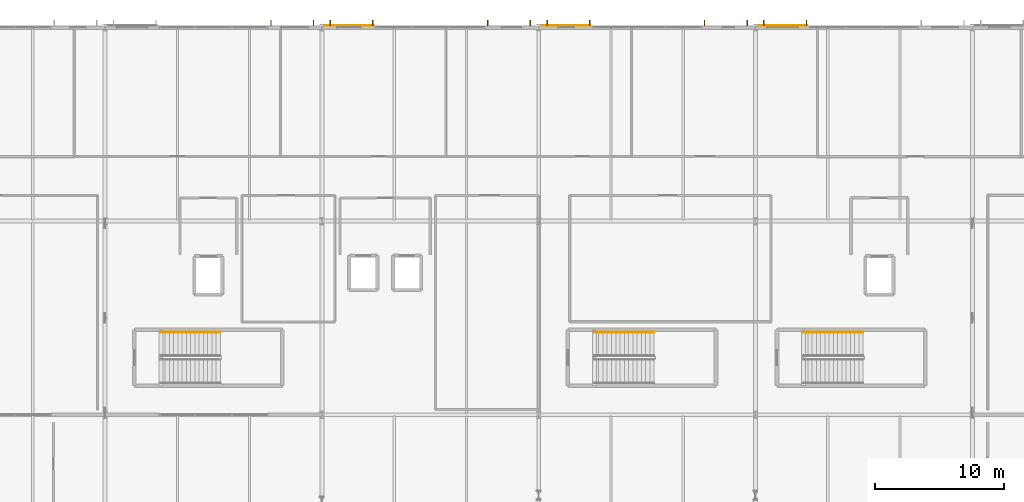
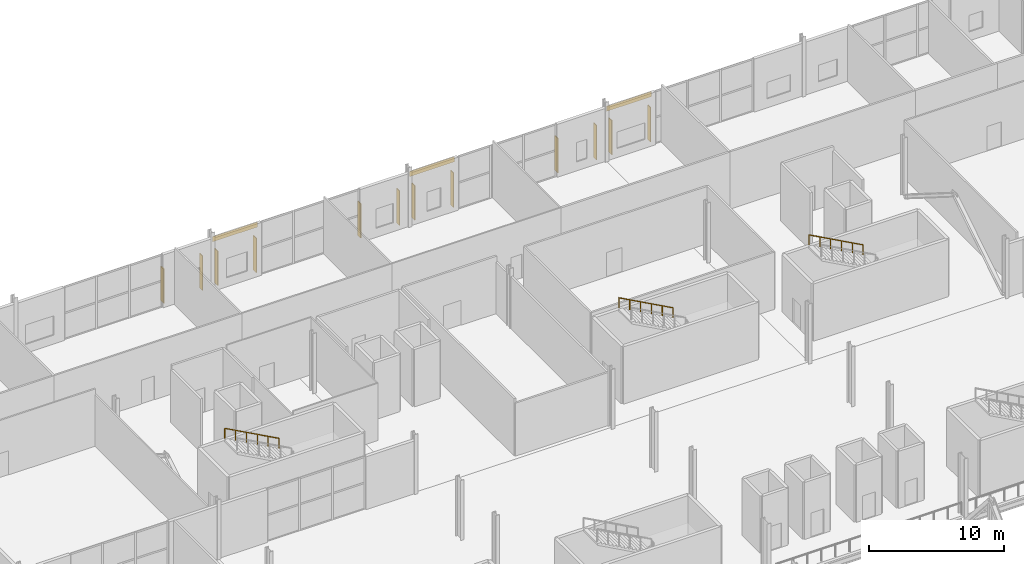
# One storey, part 77 of 84: 12 shading devices, 3 coverings, 3 railings.
"""IFC4 building model written with IfcOpenShell, lengths in metres."""

import ifcopenshell
import ifcopenshell.guid

model = None  # the IFC model being written
_history = None  # IfcOwnerHistory: only IFC2X3 demands one
_inside = {}  # id of a spatial element -> (the spatial element, [elements in it])
_under = {}  # id of a project, library or spatial element -> (it, [spatial elements below it])
_declared = {}  # id of a project -> (the project, [libraries it declares])
_typed = {}  # id of a type object -> (the type object, [elements of that type])
_made_of = {}  # id of a material, layer set ... -> (it, [elements and type objects made of it])


def new_model(schema):
    """Start an empty IFC model of exactly this schema.

    Asked for "IFC4X3", IfcOpenShell would pick the latest addendum, in which some entities
    have other attributes; the version numbers below select the first issue.
    IFC2X3 requires an IfcOwnerHistory on every rooted entity: one is made here for all.
    """
    global model, _history
    if schema == "IFC4X3":
        model = ifcopenshell.file(schema_version=(4, 3, 0, 0))
    else:
        model = ifcopenshell.file(schema=schema)
    _inside.clear()
    _under.clear()
    _declared.clear()
    _typed.clear()
    _made_of.clear()
    _history = None
    if model.schema == "IFC2X3":
        org = make("IfcOrganization", Name="unknown")
        user = make(
            "IfcPersonAndOrganization",
            ThePerson=make("IfcPerson", FamilyName="unknown"),
            TheOrganization=org,
        )
        app = make(
            "IfcApplication",
            ApplicationDeveloper=org,
            Version="unknown",
            ApplicationFullName="unknown",
            ApplicationIdentifier="unknown",
        )
        _history = make(
            "IfcOwnerHistory",
            OwningUser=user,
            OwningApplication=app,
            ChangeAction="ADDED",
            CreationDate=0,
        )
    return model


def make(cls, **values):
    """One entity of the class cls with the attributes given. An attribute that is None is left unset."""
    return model.create_entity(
        cls, **{name: value for name, value in values.items() if value is not None}
    )


def rooted(cls, **values):
    """An entity with a GlobalId (a new one), such as an element, a storey or a relation."""
    return make(cls, GlobalId=ifcopenshell.guid.new(), OwnerHistory=_history, **values)


def si_unit(unit_type, name, prefix=None):
    """IfcSIUnit, for example si_unit("LENGTHUNIT", "METRE", prefix="MILLI")."""
    return make("IfcSIUnit", UnitType=unit_type, Prefix=prefix, Name=name)


def assignment(units):
    """IfcUnitAssignment: the units of a project."""
    return None if units is None else make("IfcUnitAssignment", Units=units)


def point(xyz):
    """IfcCartesianPoint."""
    return None if xyz is None else make("IfcCartesianPoint", Coordinates=xyz)


def direction(xyz):
    """IfcDirection."""
    return None if xyz is None else make("IfcDirection", DirectionRatios=xyz)


def frame(location, z_axis=None, x_axis=None):
    """IfcAxis2Placement3D, a coordinate frame: its origin and axes. An axis left out is left unset."""
    return make(
        "IfcAxis2Placement3D",
        Location=point(location),
        Axis=direction(z_axis),
        RefDirection=direction(x_axis),
    )


def frame_2d(location, x_axis=None):
    """IfcAxis2Placement2D, a coordinate frame in the plane: its origin and x axis."""
    return make(
        "IfcAxis2Placement2D", Location=point(location), RefDirection=direction(x_axis)
    )


def origin():
    """The frame at (0, 0, 0) with its axes left unset."""
    return frame((0.0, 0.0, 0.0))


def origin_2d():
    """The frame at (0, 0) in the plane with its x axis left unset."""
    return frame_2d((0.0, 0.0))


def place(relative_to, where):
    """IfcLocalPlacement: puts the frame where relative to a parent placement (None: the world)."""
    return make(
        "IfcLocalPlacement", PlacementRelTo=relative_to, RelativePlacement=where
    )


def context(
    kind, dimensions, precision=None, world=None, true_north=None, identifier=None
):
    """IfcGeometricRepresentationContext, for example the 3D "Model" context."""
    return make(
        "IfcGeometricRepresentationContext",
        ContextIdentifier=identifier,
        ContextType=kind,
        CoordinateSpaceDimension=dimensions,
        Precision=precision,
        WorldCoordinateSystem=world,
        TrueNorth=true_north,
    )


def subcontext(parent, identifier, kind, view, scale=None):
    """IfcGeometricRepresentationSubContext, for example "Body" below "Model"."""
    return make(
        "IfcGeometricRepresentationSubContext",
        ContextIdentifier=identifier,
        ContextType=kind,
        ParentContext=parent,
        TargetScale=scale,
        TargetView=view,
    )


def project(units=None, contexts=None):
    """IfcProject with its units and contexts."""
    return rooted(
        "IfcProject",
        Name="project",
        RepresentationContexts=contexts,
        UnitsInContext=assignment(units),
    )


def spatial(cls, under=None, at=None, **own):
    """A site, building, storey or space (cls), placed at a placement, below another one or the project."""
    s = rooted(cls, ObjectPlacement=at, **own)
    if under is not None:
        _under.setdefault(under.id(), (under, []))[1].append(s)
    return s


def profile(cls, at=None, kind="AREA", **sizes):
    """A parametric profile (cls). Its sizes go by their IFC names, for example OverallWidth=200.0."""
    return make(cls, ProfileType=kind, Position=at, **sizes)


def rectangle(**sizes):
    """IfcRectangleProfileDef."""
    return profile("IfcRectangleProfileDef", **sizes)


def circle(**sizes):
    """IfcCircleProfileDef."""
    return profile("IfcCircleProfileDef", **sizes)


def extrude(swept, where, along, depth):
    """IfcExtrudedAreaSolid: the profile swept, set in the frame where, extruded along a direction by depth."""
    return make(
        "IfcExtrudedAreaSolid",
        SweptArea=swept,
        Position=where,
        ExtrudedDirection=direction(along),
        Depth=depth,
    )


def shape(context_of_items, identifier, shape_type, items):
    """IfcShapeRepresentation: the items that make up one representation, for example the "Body"."""
    return make(
        "IfcShapeRepresentation",
        ContextOfItems=context_of_items,
        RepresentationIdentifier=identifier,
        RepresentationType=shape_type,
        Items=items,
    )


def material(Name=None, Category=None):
    """IfcMaterial."""
    return make("IfcMaterial", Name=Name, Category=Category)


def layer(
    of_material, thickness, ventilated=None, Name=None, Category=None, Priority=None
):
    """IfcMaterialLayer: one layer of a wall or slab, of a material (None: an air gap)."""
    return make(
        "IfcMaterialLayer",
        Material=of_material,
        LayerThickness=thickness,
        IsVentilated=ventilated,
        Name=Name,
        Category=Category,
        Priority=Priority,
    )


def layer_set(layers, Name=None):
    """IfcMaterialLayerSet."""
    return make("IfcMaterialLayerSet", MaterialLayers=layers, LayerSetName=Name)


def made_of(thing, what):
    """Note that an element or type object is made of a material, layer set ...; save() writes the relation."""
    if what is not None:
        _made_of.setdefault(what.id(), (what, []))[1].append(thing)
    return thing


def type_object(cls, material=None, **own):
    """A type object (cls), such as IfcWallType, which elements share."""
    return made_of(rooted(cls, **own), material)


def element(
    cls,
    number,
    at=None,
    inside=None,
    cuts=None,
    type_object=None,
    material=None,
    context=None,
    identifier="Body",
    shape_type=None,
    held_by="IfcProductDefinitionShape",
    body=None,
    shapes=None,
    **own,
):
    """One element of the class cls, such as IfcWall. Its Tag is "e" and its number.

    at: its placement. inside: the storey or other place that contains it. cuts: it is an
    opening in that element (IfcRelVoidsElement). A single representation is given by context,
    identifier, shape_type and body (its items); several are given by shapes. held_by: the class
    of the entity that holds the representations. save() writes the other relations.
    """
    e = rooted(cls, Tag="e%d" % number, ObjectPlacement=at, **own)
    if body is not None:
        shapes = [shape(context, identifier, shape_type, body)]
    if shapes is not None:
        e.Representation = make(held_by, Representations=shapes)
    if inside is not None:
        _inside.setdefault(inside.id(), (inside, []))[1].append(e)
    if cuts is not None:
        rooted(
            "IfcRelVoidsElement", RelatingBuildingElement=cuts, RelatedOpeningElement=e
        )
    if type_object is not None:
        _typed.setdefault(type_object.id(), (type_object, []))[1].append(e)
    return made_of(e, material)


def aggregate(whole, parts):
    """IfcRelAggregates: a whole, such as a stair, and the parts it consists of."""
    return rooted("IfcRelAggregates", RelatingObject=whole, RelatedObjects=parts)


def save(model, path):
    """Write the relations noted so far, then the file.

    IfcRelAggregates (storeys below a building ...), IfcRelContainedInSpatialStructure (elements
    in a storey), IfcRelDefinesByType, IfcRelAssociatesMaterial and IfcRelDeclares: one each for
    every whole, place, type object, material and project.
    """
    for whole, parts in _under.values():
        aggregate(whole, parts)
    for where, things in _inside.values():
        rooted(
            "IfcRelContainedInSpatialStructure",
            RelatedElements=things,
            RelatingStructure=where,
        )
    for kind, things in _typed.values():
        rooted("IfcRelDefinesByType", RelatedObjects=things, RelatingType=kind)
    for what, things in _made_of.values():
        rooted("IfcRelAssociatesMaterial", RelatedObjects=things, RelatingMaterial=what)
    for by, libraries in _declared.values():
        rooted("IfcRelDeclares", RelatingContext=by, RelatedDefinitions=libraries)
    model.write(path)


model = new_model("IFC4")

# Units and contexts
model_context = context("Model", 3, precision=1e-05, world=origin(), true_north=direction((0.0, 1.0)))
body_context = subcontext(model_context, "Body", "Model", "MODEL_VIEW")
ifc_project = project(units=[si_unit("LENGTHUNIT", "METRE"), si_unit("AREAUNIT", "SQUARE_METRE"), si_unit("VOLUMEUNIT", "CUBIC_METRE"), si_unit("PLANEANGLEUNIT", "RADIAN"), si_unit("MASSUNIT", "GRAM", prefix="KILO")], contexts=[model_context])

# Site, building, storey
site_placement = place(None, origin())
site = spatial("IfcSite", under=ifc_project, at=site_placement, CompositionType="ELEMENT")
building_placement = place(site_placement, origin())
building = spatial("IfcBuilding", under=site, at=building_placement, Name="Kimbaza Rail Terminus", CompositionType="ELEMENT")
storey_placement = place(building_placement, frame((0.0, 0.0, 5.39990234375)))
storey = spatial("IfcBuildingStorey", under=building, at=storey_placement, Name="L01", CompositionType="ELEMENT", Elevation=5.39990234375)

# Coverings
ifc_material_1 = material(Name="Champagne anodised aluminium spandrel cladding", Category="aluminium")
ifc_layer = layer(ifc_material_1, 0.034912109375)
ifc_layer_set = layer_set([ifc_layer], Name="Champagne anodised aluminium spandrel cladding")
covering_type = type_object("IfcCoveringType", Name="ARC-COV-CLD1", PredefinedType="CLADDING", material=ifc_layer_set)
for number, where, z_axis, x_axis, name in (
    (1, (90.89990234375, 133.156005859375, 4.240234375), (0.0, 0.0, 1.0), (1.0, 0.0, 0.0), "North Spandrel Cladding L01 Bay 3"),
    (2, (107.699951171875, 133.156005859375, 4.240234375), (0.0, 0.0, 1.0), (1.0, 0.0, 0.0), "North Spandrel Cladding L01 Bay 4"),
    (3, (124.5, 133.156005859375, 4.240234375), (0.0, 0.0, 1.0), (1.0, 0.0, 0.0), "North Spandrel Cladding L01 Bay 5"),
):
    element("IfcCovering", number, at=place(storey_placement, frame(where, z_axis=z_axis, x_axis=x_axis)), inside=storey, type_object=covering_type, Name=name, PredefinedType="CLADDING", context=body_context, shape_type="SweptSolid", body=[
        extrude(rectangle(XDim=3.800048828125, YDim=0.034912109375, at=origin_2d()), origin(), (0.0, 0.0, 1.0), 0.449951171875),
    ])

# Railings
ifc_material_2 = material(Name="Brushed stainless steel handrail", Category="steel")
railing_type = type_object("IfcRailingType", Name="ARC-RL-HND92", PredefinedType="HANDRAIL", material=ifc_material_2)
railing_1_placement = place(storey_placement, frame((80.93994140625, 109.389892578125, 2.880126953125)))
element("IfcRailing", 4, at=railing_1_placement, inside=storey, type_object=railing_type, Name="L01 ST-W1 stair handrail 2", PredefinedType="HANDRAIL", context=body_context, shape_type="SweptSolid", body=[
    extrude(circle(Radius=0.02392578125, at=origin_2d()), frame((0.0, 0.0, 0.8759765625), z_axis=(-0.877888480945, 0.0, 0.478865132395), x_axis=(0.0, -1.0, 0.0)), (0.0, 0.0, 1.0), 5.262451171875),
    extrude(circle(Radius=0.02099609375, at=origin_2d()), origin(), (0.0, 0.0, 1.0), 0.851806640625),
    extrude(circle(Radius=0.02099609375, at=origin_2d()), frame((-0.924072265625, 0.0, 0.50390625)), (0.0, 0.0, 1.0), 0.851806640625),
    extrude(circle(Radius=0.02099609375, at=origin_2d()), frame((-1.847900390625, 0.0, 1.008056640625)), (0.0, 0.0, 1.0), 0.851806640625),
    extrude(circle(Radius=0.02099609375, at=origin_2d()), frame((-2.77197265625, 0.0, 1.511962890625)), (0.0, 0.0, 1.0), 0.851806640625),
    extrude(circle(Radius=0.02099609375, at=origin_2d()), frame((-3.69580078125, 0.0, 2.01611328125)), (0.0, 0.0, 1.0), 0.851806640625),
    extrude(circle(Radius=0.02099609375, at=origin_2d()), frame((-4.619873046875, 0.0, 2.52001953125)), (0.0, 0.0, 1.0), 0.851806640625),
])
railing_2_placement = place(storey_placement, frame((114.5400390625, 109.389892578125, 2.880126953125)))
element("IfcRailing", 5, at=railing_2_placement, inside=storey, type_object=railing_type, Name="L01 ST-M1 stair handrail 2", PredefinedType="HANDRAIL", context=body_context, shape_type="SweptSolid", body=[
    extrude(circle(Radius=0.02392578125, at=origin_2d()), frame((0.0, 0.0, 0.8759765625), z_axis=(-0.877899118682, 0.0, 0.478845630049), x_axis=(0.0, -1.0, 0.0)), (0.0, 0.0, 1.0), 5.2626953125),
    extrude(circle(Radius=0.02099609375, at=origin_2d()), origin(), (0.0, 0.0, 1.0), 0.851806640625),
    extrude(circle(Radius=0.02099609375, at=origin_2d()), frame((-0.924072265625, 0.0, 0.50390625)), (0.0, 0.0, 1.0), 0.851806640625),
    extrude(circle(Radius=0.02099609375, at=origin_2d()), frame((-1.84814453125, 0.0, 1.008056640625)), (0.0, 0.0, 1.0), 0.851806640625),
    extrude(circle(Radius=0.02099609375, at=origin_2d()), frame((-2.77197265625, 0.0, 1.511962890625)), (0.0, 0.0, 1.0), 0.851806640625),
    extrude(circle(Radius=0.02099609375, at=origin_2d()), frame((-3.696044921875, 0.0, 2.01611328125)), (0.0, 0.0, 1.0), 0.851806640625),
    extrude(circle(Radius=0.02099609375, at=origin_2d()), frame((-4.6201171875, 0.0, 2.52001953125)), (0.0, 0.0, 1.0), 0.851806640625),
])
railing_3_placement = place(storey_placement, frame((130.739990234375, 109.389892578125, 2.880126953125)))
element("IfcRailing", 6, at=railing_3_placement, inside=storey, type_object=railing_type, Name="L01 ST-E1 stair handrail 2", PredefinedType="HANDRAIL", context=body_context, shape_type="SweptSolid", body=[
    extrude(circle(Radius=0.02392578125, at=origin_2d()), frame((0.0, 0.0, 0.8759765625), z_axis=(-0.877888480945, 0.0, 0.478865132395), x_axis=(0.0, -1.0, 0.0)), (0.0, 0.0, 1.0), 5.262451171875),
    extrude(circle(Radius=0.02099609375, at=origin_2d()), origin(), (0.0, 0.0, 1.0), 0.851806640625),
    extrude(circle(Radius=0.02099609375, at=origin_2d()), frame((-0.924072265625, 0.0, 0.50390625)), (0.0, 0.0, 1.0), 0.851806640625),
    extrude(circle(Radius=0.02099609375, at=origin_2d()), frame((-1.847900390625, 0.0, 1.008056640625)), (0.0, 0.0, 1.0), 0.851806640625),
    extrude(circle(Radius=0.02099609375, at=origin_2d()), frame((-2.77197265625, 0.0, 1.511962890625)), (0.0, 0.0, 1.0), 0.851806640625),
    extrude(circle(Radius=0.02099609375, at=origin_2d()), frame((-3.69580078125, 0.0, 2.01611328125)), (0.0, 0.0, 1.0), 0.851806640625),
    extrude(circle(Radius=0.02099609375, at=origin_2d()), frame((-4.619873046875, 0.0, 2.52001953125)), (0.0, 0.0, 1.0), 0.851806640625),
])

# Shading devices
ifc_material_3 = material(Name="Champagne anodised extruded aluminium", Category="aluminium")
shading_device_type = type_object("IfcShadingDeviceType", Name="ARC-SHD-FIN450", PredefinedType="USERDEFINED", material=ifc_material_3)
for number, where, z_axis, x_axis, name in (
    (7, (84.85009765625, 133.363037109375, 0.150146484375), (0.0, 0.0, 1.0), (1.0, 0.0, 0.0), "North Solar Fin L01 Bay 2.3"),
    (8, (88.14990234375, 133.363037109375, 0.150146484375), (0.0, 0.0, 1.0), (1.0, 0.0, 0.0), "North Solar Fin L01 Bay 2.4"),
    (9, (89.449951171875, 133.363037109375, 0.150146484375), (0.0, 0.0, 1.0), (1.0, 0.0, 0.0), "North Solar Fin L01 Bay 3.1"),
    (10, (92.75, 133.363037109375, 0.150146484375), (0.0, 0.0, 1.0), (1.0, 0.0, 0.0), "North Solar Fin L01 Bay 3.2"),
    (11, (101.64990234375, 133.363037109375, 0.150146484375), (0.0, 0.0, 1.0), (1.0, 0.0, 0.0), "North Solar Fin L01 Bay 3.3"),
    (12, (104.949951171875, 133.363037109375, 0.150146484375), (0.0, 0.0, 1.0), (1.0, 0.0, 0.0), "North Solar Fin L01 Bay 3.4"),
    (13, (106.25, 133.363037109375, 0.150146484375), (0.0, 0.0, 1.0), (1.0, 0.0, 0.0), "North Solar Fin L01 Bay 4.1"),
    (14, (109.550048828125, 133.363037109375, 0.150146484375), (0.0, 0.0, 1.0), (1.0, 0.0, 0.0), "North Solar Fin L01 Bay 4.2"),
    (15, (118.449951171875, 133.363037109375, 0.150146484375), (0.0, 0.0, 1.0), (1.0, 0.0, 0.0), "North Solar Fin L01 Bay 4.3"),
    (16, (121.75, 133.363037109375, 0.150146484375), (0.0, 0.0, 1.0), (1.0, 0.0, 0.0), "North Solar Fin L01 Bay 4.4"),
    (17, (123.050048828125, 133.363037109375, 0.150146484375), (0.0, 0.0, 1.0), (1.0, 0.0, 0.0), "North Solar Fin L01 Bay 5.1"),
    (18, (126.35009765625, 133.363037109375, 0.150146484375), (0.0, 0.0, 1.0), (1.0, 0.0, 0.0), "North Solar Fin L01 Bay 5.2"),
):
    element("IfcShadingDevice", number, at=place(storey_placement, frame(where, z_axis=z_axis, x_axis=x_axis)), inside=storey, type_object=shading_device_type, Name=name, ObjectType="BRISE SOLEIL FIN", PredefinedType="USERDEFINED", context=body_context, shape_type="SweptSolid", body=[
        extrude(rectangle(XDim=0.06494140625, YDim=0.449951171875, at=origin_2d()), origin(), (0.0, 0.0, 1.0), 3.10009765625),
    ])

save(model, "model.ifc")
